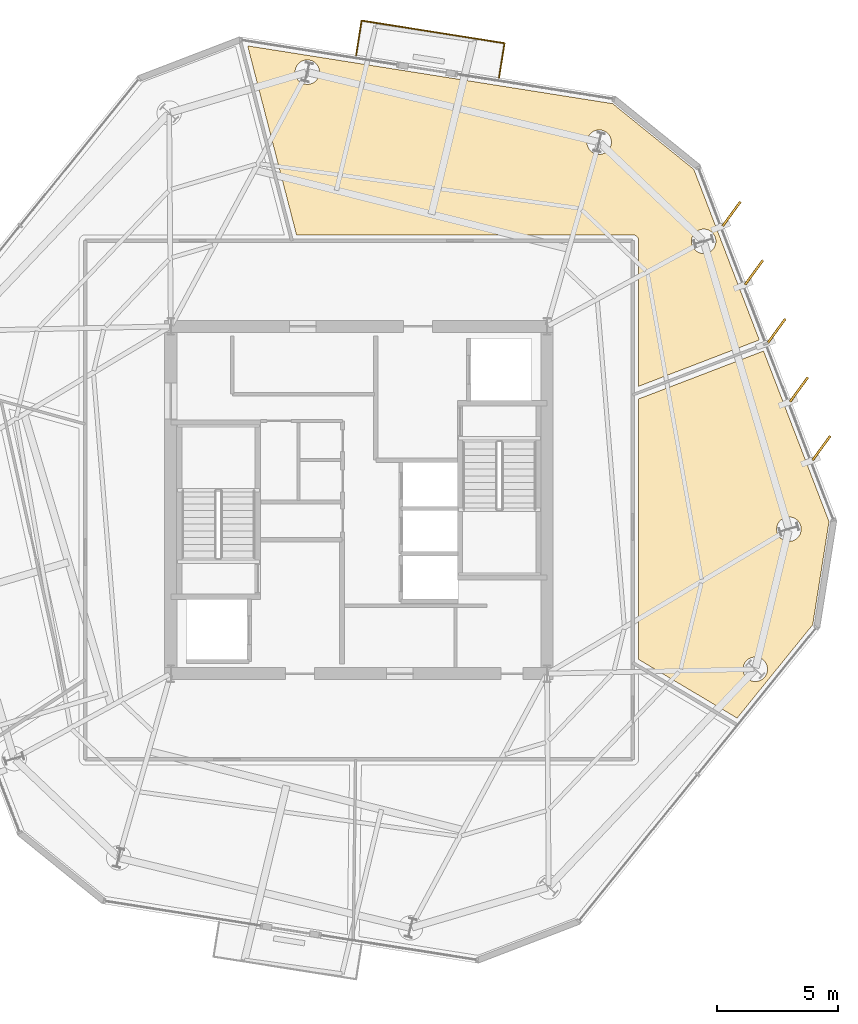
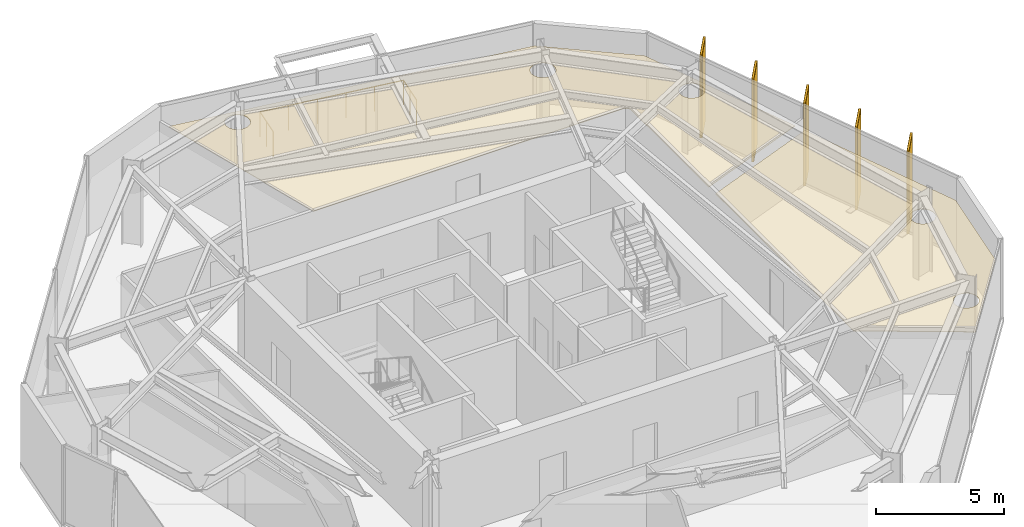
# One storey, part 11 of 11: 7 coverings, 5 shading devices, 1 railing.
"""IFC4 building model written with IfcOpenShell, lengths in metres."""

from ifc_helpers import new_model, si_unit, direction, frame, origin, origin_2d, place, context, subcontext, project, spatial, polyline, rectangle, circle, outline, extrude, material, layer, layer_set, type_object, element, save


model = new_model("IFC4")

# Units and contexts
model_context = context("Model", 3, precision=1e-05, world=origin(), true_north=direction((0.0, 1.0)))
body_context = subcontext(model_context, "Body", "Model", "MODEL_VIEW")
ifc_project = project(units=[si_unit("LENGTHUNIT", "METRE"), si_unit("AREAUNIT", "SQUARE_METRE"), si_unit("VOLUMEUNIT", "CUBIC_METRE"), si_unit("PLANEANGLEUNIT", "RADIAN"), si_unit("MASSUNIT", "GRAM", prefix="KILO")], contexts=[model_context])

# Site, building, storey
site_placement = place(None, origin())
site = spatial("IfcSite", under=ifc_project, at=site_placement, CompositionType="ELEMENT")
building_placement = place(site_placement, origin())
building = spatial("IfcBuilding", under=site, at=building_placement, Name="Kranzbogen Civic Tower", CompositionType="ELEMENT")
storey_placement = place(building_placement, frame((0.0, 0.0, 228.800048828125)))
storey = spatial("IfcBuildingStorey", under=building, at=storey_placement, Name="L55", CompositionType="ELEMENT", Elevation=228.800048828125)

# Coverings
ifc_material_1 = material(Name="Pale Anodised Aluminium", Category="aluminium")
ifc_layer_1 = layer(ifc_material_1, 0.02490234375, Name="Pale Anodised Aluminium")
ifc_layer_set_1 = layer_set([ifc_layer_1], Name="Pale Anodised Aluminium")
covering_type_1 = type_object("IfcCoveringType", Name="Anodised Aluminium Vertical Fin Cladding 25 mm", PredefinedType="CLADDING", material=ifc_layer_set_1)
for number, where, z_axis, x_axis, name in (
    (1, (44.177001953125, 27.155029296875, -0.14013671875), (0.0, 0.0, 1.0), (0.5895206578, 0.807753300227, 0.0), "L55 vertical fin pale-metal cladding F6-1"),
    (2, (43.2451171875, 29.58203125, -0.14013671875), (0.0, 0.0, 1.0), (0.5895206578, 0.807753300227, 0.0), "L55 vertical fin pale-metal cladding F6-2"),
    (3, (42.31298828125, 32.009033203125, -0.14013671875), (0.0, 0.0, 1.0), (0.5895206578, 0.807753300227, 0.0), "L55 vertical fin pale-metal cladding F6-3"),
    (4, (41.382080078125, 34.43701171875, -0.14013671875), (0.0, 0.0, 1.0), (0.5895206578, 0.807753300227, 0.0), "L55 vertical fin pale-metal cladding F6-4"),
    (5, (40.449951171875, 36.864013671875, -0.14013671875), (0.0, 0.0, 1.0), (0.5895206578, 0.807753300227, 0.0), "L55 vertical fin pale-metal cladding F6-5"),
):
    element("IfcCovering", number, at=place(storey_placement, frame(where, z_axis=z_axis, x_axis=x_axis)), inside=storey, type_object=covering_type_1, Name=name, PredefinedType="CLADDING", context=body_context, shape_type="SweptSolid", body=[
        extrude(rectangle(XDim=1.25, YDim=0.10009765625, at=origin_2d()), origin(), (0.0, 0.0, 1.0), 3.9599609375),
    ])

# Shading devices
ifc_material_2 = material(Name="Anodised Bronze Aluminium", Category="aluminium")
shading_device_type = type_object("IfcShadingDeviceType", Name="Anodised Bronze Vertical Facade Fin 1250x80", PredefinedType="USERDEFINED", material=ifc_material_2)
for number, where, z_axis, x_axis, name in (
    (6, (44.177001953125, 27.155029296875, -0.14013671875), (0.0, 0.0, 1.0), (0.5895206578, 0.807753300227, 0.0), "L55 vertical exterior shading fin F6-1"),
    (7, (43.2451171875, 29.58203125, -0.14013671875), (0.0, 0.0, 1.0), (0.5895206578, 0.807753300227, 0.0), "L55 vertical exterior shading fin F6-2"),
    (8, (42.31298828125, 32.009033203125, -0.14013671875), (0.0, 0.0, 1.0), (0.5895206578, 0.807753300227, 0.0), "L55 vertical exterior shading fin F6-3"),
    (9, (41.382080078125, 34.43701171875, -0.14013671875), (0.0, 0.0, 1.0), (0.5895206578, 0.807753300227, 0.0), "L55 vertical exterior shading fin F6-4"),
    (10, (40.449951171875, 36.864013671875, -0.14013671875), (0.0, 0.0, 1.0), (0.5895206578, 0.807753300227, 0.0), "L55 vertical exterior shading fin F6-5"),
):
    element("IfcShadingDevice", number, at=place(storey_placement, frame(where, z_axis=z_axis, x_axis=x_axis)), inside=storey, type_object=shading_device_type, Name=name, ObjectType="FIN", PredefinedType="USERDEFINED", context=body_context, shape_type="SweptSolid", body=[
        extrude(rectangle(XDim=1.25, YDim=0.080078125, at=origin_2d()), origin(), (0.0, 0.0, 1.0), 3.9599609375),
    ])

# Railing
railing_type = type_object("IfcRailingType", Name="Cantilevered Balcony Glass and Bronze Balustrade 1200", PredefinedType="BALUSTRADE", material=ifc_material_2)
railing_placement = place(storey_placement, frame((30.81005859375, 42.507080078125, 0.0)))
element("IfcRailing", 11, at=railing_placement, inside=storey, type_object=railing_type, Name="L55 exterior terrace balustrade L55-TB2", PredefinedType="BALUSTRADE", context=body_context, shape_type="SweptSolid", body=[
    extrude(circle(Radius=0.02392578125, at=origin_2d()), frame((0.0, 0.0, 1.17578125), z_axis=(0.156611103709, 0.987660347587, 0.0), x_axis=(-0.987660347587, 0.156611103709, 0.0)), (0.0, 0.0, 1.0), 1.44970703125),
    extrude(circle(Radius=0.02392578125, at=origin_2d()), frame((0.22705078125, 1.431884765625, 1.17578125), z_axis=(-0.987703836906, 0.156336593803, 0.0), x_axis=(-0.156336593803, -0.987703836906, 0.0)), (0.0, 0.0, 1.0), 5.999755859375),
    extrude(circle(Radius=0.02392578125, at=origin_2d()), frame((-5.698974609375, 2.369873046875, 1.17578125), z_axis=(-0.156611103709, -0.987660347587, 0.0), x_axis=(0.987660347587, -0.156611103709, 0.0)), (0.0, 0.0, 1.0), 1.44970703125),
    extrude(circle(Radius=0.02099609375, at=origin_2d()), origin(), (0.0, 0.0, 1.0), 1.15185546875),
    extrude(circle(Radius=0.02099609375, at=origin_2d()), frame((0.113525390625, 0.7158203125, 0.0)), (0.0, 0.0, 1.0), 1.15185546875),
    extrude(circle(Radius=0.02099609375, at=origin_2d()), frame((0.22705078125, 1.431884765625, 0.0)), (0.0, 0.0, 1.0), 1.15185546875),
    extrude(circle(Radius=0.02099609375, at=origin_2d()), frame((-0.958251953125, 1.619384765625, 0.0)), (0.0, 0.0, 1.0), 1.15185546875),
    extrude(circle(Radius=0.02099609375, at=origin_2d()), frame((-2.143310546875, 1.80712890625, 0.0)), (0.0, 0.0, 1.0), 1.15185546875),
    extrude(circle(Radius=0.02099609375, at=origin_2d()), frame((-3.32861328125, 1.99462890625, 0.0)), (0.0, 0.0, 1.0), 1.15185546875),
    extrude(circle(Radius=0.02099609375, at=origin_2d()), frame((-4.513671875, 2.182373046875, 0.0)), (0.0, 0.0, 1.0), 1.15185546875),
    extrude(circle(Radius=0.02099609375, at=origin_2d()), frame((-5.698974609375, 2.369873046875, 0.0)), (0.0, 0.0, 1.0), 1.15185546875),
    extrude(circle(Radius=0.02099609375, at=origin_2d()), frame((-5.8125, 1.65380859375, 0.0)), (0.0, 0.0, 1.0), 1.15185546875),
    extrude(circle(Radius=0.02099609375, at=origin_2d()), frame((-5.926025390625, 0.93798828125, 0.0)), (0.0, 0.0, 1.0), 1.15185546875),
])

# Coverings
ifc_material_3 = material(Name="Perforated Acoustic Gypsum Ceiling")
ifc_layer_2 = layer(ifc_material_3, 0.02490234375, Name="Perforated Acoustic Gypsum Ceiling")
ifc_layer_set_2 = layer_set([ifc_layer_2], Name="Perforated Acoustic Gypsum Ceiling")
covering_type_2 = type_object("IfcCoveringType", Name="Perforated Acoustic Mineral Ceiling Tile 25 mm", PredefinedType="CEILING", material=ifc_layer_set_2)
covering_1_placement = place(storey_placement, frame((0.0, 0.0, 2.75)))
element("IfcCovering", 12, at=covering_1_placement, inside=storey, type_object=covering_type_2, Name="L55 Visitor Concierge Foyer acoustic ceiling", PredefinedType="CEILING", context=body_context, shape_type="SweptSolid", body=[
    extrude(outline(polyline([(43.81494140625, 19.830078125), (40.679931640625, 15.958984375), (36.594970703125, 18.388916015625), (36.594970703125, 29.18896484375), (41.77587890625, 31.177001953125), (44.490966796875, 24.10302734375), (43.81494140625, 19.830078125)]), holes=[polyline([(41.902099609375, 17.7900390625), (41.8798828125, 17.7451171875), (41.85498046875, 17.701904296875), (41.824951171875, 17.662109375), (41.7919921875, 17.625), (41.7548828125, 17.592041015625), (41.715087890625, 17.56201171875), (41.672119140625, 17.537109375), (41.626953125, 17.514892578125), (41.580078125, 17.4990234375), (41.531982421875, 17.487060546875), (41.48291015625, 17.47900390625), (41.43310546875, 17.47705078125), (41.383056640625, 17.47900390625), (41.333984375, 17.487060546875), (41.285888671875, 17.4990234375), (41.239013671875, 17.514892578125), (41.194091796875, 17.537109375), (41.15087890625, 17.56201171875), (41.111083984375, 17.592041015625), (41.073974609375, 17.625), (41.041015625, 17.662109375), (41.010986328125, 17.701904296875), (40.986083984375, 17.7451171875), (40.964111328125, 17.7900390625), (40.947998046875, 17.8369140625), (40.93603515625, 17.885009765625), (40.927978515625, 17.93408203125), (40.926025390625, 17.98388671875), (40.927978515625, 18.033935546875), (40.93603515625, 18.0830078125), (40.947998046875, 18.131103515625), (40.964111328125, 18.177978515625), (40.986083984375, 18.222900390625), (41.010986328125, 18.26611328125), (41.041015625, 18.305908203125), (41.073974609375, 18.343017578125), (41.111083984375, 18.3759765625), (41.15087890625, 18.406005859375), (41.194091796875, 18.430908203125), (41.239013671875, 18.452880859375), (41.285888671875, 18.468994140625), (41.333984375, 18.48095703125), (41.383056640625, 18.489013671875), (41.43310546875, 18.490966796875), (41.48291015625, 18.489013671875), (41.531982421875, 18.48095703125), (41.580078125, 18.468994140625), (41.626953125, 18.452880859375), (41.672119140625, 18.430908203125), (41.715087890625, 18.406005859375), (41.7548828125, 18.3759765625), (41.7919921875, 18.343017578125), (41.824951171875, 18.305908203125), (41.85498046875, 18.26611328125), (41.8798828125, 18.222900390625), (41.902099609375, 18.177978515625), (41.91796875, 18.131103515625), (41.929931640625, 18.0830078125), (41.93798828125, 18.033935546875), (41.93994140625, 17.98388671875), (41.93798828125, 17.93408203125), (41.929931640625, 17.885009765625), (41.91796875, 17.8369140625), (41.902099609375, 17.7900390625)]), polyline([(43.297119140625, 23.596923828125), (43.27490234375, 23.552001953125), (43.25, 23.509033203125), (43.219970703125, 23.468994140625), (43.18701171875, 23.431884765625), (43.14990234375, 23.39892578125), (43.110107421875, 23.368896484375), (43.06689453125, 23.343994140625), (43.02197265625, 23.322021484375), (42.97509765625, 23.305908203125), (42.927001953125, 23.2939453125), (42.8779296875, 23.285888671875), (42.827880859375, 23.283935546875), (42.778076171875, 23.285888671875), (42.72900390625, 23.2939453125), (42.680908203125, 23.305908203125), (42.634033203125, 23.322021484375), (42.589111328125, 23.343994140625), (42.5458984375, 23.368896484375), (42.506103515625, 23.39892578125), (42.468994140625, 23.431884765625), (42.43603515625, 23.468994140625), (42.406005859375, 23.509033203125), (42.381103515625, 23.552001953125), (42.35888671875, 23.596923828125), (42.343017578125, 23.64404296875), (42.3310546875, 23.69189453125), (42.322998046875, 23.740966796875), (42.321044921875, 23.791015625), (42.322998046875, 23.841064453125), (42.3310546875, 23.889892578125), (42.343017578125, 23.93798828125), (42.35888671875, 23.985107421875), (42.381103515625, 24.030029296875), (42.406005859375, 24.072998046875), (42.43603515625, 24.113037109375), (42.468994140625, 24.14990234375), (42.506103515625, 24.18310546875), (42.5458984375, 24.212890625), (42.589111328125, 24.238037109375), (42.634033203125, 24.260009765625), (42.680908203125, 24.27587890625), (42.72900390625, 24.2880859375), (42.778076171875, 24.2958984375), (42.827880859375, 24.298095703125), (42.8779296875, 24.2958984375), (42.927001953125, 24.2880859375), (42.97509765625, 24.27587890625), (43.02197265625, 24.260009765625), (43.06689453125, 24.238037109375), (43.110107421875, 24.212890625), (43.14990234375, 24.18310546875), (43.18701171875, 24.14990234375), (43.219970703125, 24.113037109375), (43.25, 24.072998046875), (43.27490234375, 24.030029296875), (43.297119140625, 23.985107421875), (43.31298828125, 23.93798828125), (43.324951171875, 23.889892578125), (43.3330078125, 23.841064453125), (43.3349609375, 23.791015625), (43.3330078125, 23.740966796875), (43.324951171875, 23.69189453125), (43.31298828125, 23.64404296875), (43.297119140625, 23.596923828125)])]), origin(), (0.0, 0.0, 1.0), 0.02490234375),
])
covering_2_placement = place(storey_placement, frame((0.0, 0.0, 2.75)))
element("IfcCovering", 13, at=covering_2_placement, inside=storey, type_object=covering_type_2, Name="L55 Protocol Entrance Reception acoustic ceiling", PredefinedType="CEILING", context=body_context, shape_type="SweptSolid", body=[
    extrude(outline(polyline([(36.594970703125, 29.712890625), (36.594970703125, 35.75), (36.594970703125, 35.759033203125), (36.593994140625, 35.764892578125), (36.593017578125, 35.782958984375), (36.592041015625, 35.7890625), (36.587890625, 35.805908203125), (36.5869140625, 35.81298828125), (36.58203125, 35.830078125), (36.580078125, 35.8359375), (36.572998046875, 35.85205078125), (36.570068359375, 35.85791015625), (36.56201171875, 35.873046875), (36.55810546875, 35.87890625), (36.549072265625, 35.89306640625), (36.544921875, 35.89794921875), (36.533935546875, 35.912109375), (36.529052734375, 35.9169921875), (36.51708984375, 35.928955078125), (36.511962890625, 35.93408203125), (36.498046875, 35.945068359375), (36.492919921875, 35.948974609375), (36.47900390625, 35.9580078125), (36.472900390625, 35.9619140625), (36.4580078125, 35.969970703125), (36.451904296875, 35.972900390625), (36.43603515625, 35.97998046875), (36.429931640625, 35.98193359375), (36.4130859375, 35.987060546875), (36.406005859375, 35.988037109375), (36.388916015625, 35.991943359375), (36.383056640625, 35.992919921875), (36.364990234375, 35.993896484375), (36.35888671875, 35.9951171875), (36.35009765625, 35.9951171875), (22.412109375, 35.9951171875), (20.387939453125, 43.827880859375), (35.52197265625, 41.431884765625), (38.885009765625, 38.708984375), (41.60009765625, 31.635009765625), (36.594970703125, 29.712890625)]), holes=[polyline([(23.3291015625, 42.5458984375), (23.306884765625, 42.5009765625), (23.281982421875, 42.4580078125), (23.251953125, 42.41796875), (23.218994140625, 42.381103515625), (23.181884765625, 42.347900390625), (23.14208984375, 42.318115234375), (23.09912109375, 42.29296875), (23.053955078125, 42.27099609375), (23.007080078125, 42.2548828125), (22.958984375, 42.242919921875), (22.909912109375, 42.235107421875), (22.860107421875, 42.23291015625), (22.81005859375, 42.235107421875), (22.760986328125, 42.242919921875), (22.712890625, 42.2548828125), (22.666015625, 42.27099609375), (22.62109375, 42.29296875), (22.577880859375, 42.318115234375), (22.5380859375, 42.347900390625), (22.5009765625, 42.381103515625), (22.468017578125, 42.41796875), (22.43798828125, 42.4580078125), (22.4130859375, 42.5009765625), (22.39111328125, 42.5458984375), (22.375, 42.593017578125), (22.363037109375, 42.64111328125), (22.35498046875, 42.68994140625), (22.35302734375, 42.739990234375), (22.35498046875, 42.7900390625), (22.363037109375, 42.839111328125), (22.375, 42.886962890625), (22.39111328125, 42.93408203125), (22.4130859375, 42.97900390625), (22.43798828125, 43.02197265625), (22.468017578125, 43.06201171875), (22.5009765625, 43.09912109375), (22.5380859375, 43.132080078125), (22.577880859375, 43.162109375), (22.62109375, 43.18701171875), (22.666015625, 43.208984375), (22.712890625, 43.22509765625), (22.760986328125, 43.237060546875), (22.81005859375, 43.2451171875), (22.860107421875, 43.2470703125), (22.909912109375, 43.2451171875), (22.958984375, 43.237060546875), (23.007080078125, 43.22509765625), (23.053955078125, 43.208984375), (23.09912109375, 43.18701171875), (23.14208984375, 43.162109375), (23.181884765625, 43.132080078125), (23.218994140625, 43.09912109375), (23.251953125, 43.06201171875), (23.281982421875, 43.02197265625), (23.306884765625, 42.97900390625), (23.3291015625, 42.93408203125), (23.344970703125, 42.886962890625), (23.35693359375, 42.839111328125), (23.364990234375, 42.7900390625), (23.366943359375, 42.739990234375), (23.364990234375, 42.68994140625), (23.35693359375, 42.64111328125), (23.344970703125, 42.593017578125), (23.3291015625, 42.5458984375)]), polyline([(39.761962890625, 35.530029296875), (39.739990234375, 35.485107421875), (39.715087890625, 35.44189453125), (39.68505859375, 35.402099609375), (39.652099609375, 35.364990234375), (39.614990234375, 35.33203125), (39.574951171875, 35.302001953125), (39.531982421875, 35.277099609375), (39.487060546875, 35.2548828125), (39.43994140625, 35.239013671875), (39.39208984375, 35.22705078125), (39.343017578125, 35.218994140625), (39.29296875, 35.217041015625), (39.242919921875, 35.218994140625), (39.194091796875, 35.22705078125), (39.14599609375, 35.239013671875), (39.09912109375, 35.2548828125), (39.053955078125, 35.277099609375), (39.010986328125, 35.302001953125), (38.970947265625, 35.33203125), (38.93408203125, 35.364990234375), (38.90087890625, 35.402099609375), (38.87109375, 35.44189453125), (38.845947265625, 35.485107421875), (38.823974609375, 35.530029296875), (38.80810546875, 35.576904296875), (38.7958984375, 35.625), (38.7880859375, 35.674072265625), (38.785888671875, 35.72412109375), (38.7880859375, 35.77392578125), (38.7958984375, 35.822998046875), (38.80810546875, 35.87109375), (38.823974609375, 35.91796875), (38.845947265625, 35.962890625), (38.87109375, 36.006103515625), (38.90087890625, 36.0458984375), (38.93408203125, 36.0830078125), (38.970947265625, 36.115966796875), (39.010986328125, 36.14599609375), (39.053955078125, 36.1708984375), (39.09912109375, 36.193115234375), (39.14599609375, 36.208984375), (39.194091796875, 36.220947265625), (39.242919921875, 36.22900390625), (39.29296875, 36.23095703125), (39.343017578125, 36.22900390625), (39.39208984375, 36.220947265625), (39.43994140625, 36.208984375), (39.487060546875, 36.193115234375), (39.531982421875, 36.1708984375), (39.574951171875, 36.14599609375), (39.614990234375, 36.115966796875), (39.652099609375, 36.0830078125), (39.68505859375, 36.0458984375), (39.715087890625, 36.006103515625), (39.739990234375, 35.962890625), (39.761962890625, 35.91796875), (39.778076171875, 35.87109375), (39.7900390625, 35.822998046875), (39.798095703125, 35.77392578125), (39.800048828125, 35.72412109375), (39.798095703125, 35.674072265625), (39.7900390625, 35.625), (39.778076171875, 35.576904296875), (39.761962890625, 35.530029296875)]), polyline([(35.429931640625, 39.64111328125), (35.407958984375, 39.595947265625), (35.383056640625, 39.552978515625), (35.35302734375, 39.512939453125), (35.320068359375, 39.47607421875), (35.282958984375, 39.443115234375), (35.242919921875, 39.4130859375), (35.199951171875, 39.387939453125), (35.155029296875, 39.365966796875), (35.10791015625, 39.35009765625), (35.06005859375, 39.337890625), (35.010986328125, 39.330078125), (34.9609375, 39.327880859375), (34.910888671875, 39.330078125), (34.862060546875, 39.337890625), (34.81396484375, 39.35009765625), (34.76708984375, 39.365966796875), (34.721923828125, 39.387939453125), (34.678955078125, 39.4130859375), (34.638916015625, 39.443115234375), (34.60205078125, 39.47607421875), (34.569091796875, 39.512939453125), (34.5390625, 39.552978515625), (34.513916015625, 39.595947265625), (34.491943359375, 39.64111328125), (34.47607421875, 39.68798828125), (34.464111328125, 39.736083984375), (34.4560546875, 39.784912109375), (34.4541015625, 39.8349609375), (34.4560546875, 39.885009765625), (34.464111328125, 39.93408203125), (34.47607421875, 39.98193359375), (34.491943359375, 40.029052734375), (34.513916015625, 40.073974609375), (34.5390625, 40.116943359375), (34.569091796875, 40.156982421875), (34.60205078125, 40.194091796875), (34.638916015625, 40.22705078125), (34.678955078125, 40.257080078125), (34.721923828125, 40.281982421875), (34.76708984375, 40.303955078125), (34.81396484375, 40.320068359375), (34.862060546875, 40.33203125), (34.910888671875, 40.340087890625), (34.9609375, 40.342041015625), (35.010986328125, 40.340087890625), (35.06005859375, 40.33203125), (35.10791015625, 40.320068359375), (35.155029296875, 40.303955078125), (35.199951171875, 40.281982421875), (35.242919921875, 40.257080078125), (35.282958984375, 40.22705078125), (35.320068359375, 40.194091796875), (35.35302734375, 40.156982421875), (35.383056640625, 40.116943359375), (35.407958984375, 40.073974609375), (35.429931640625, 40.029052734375), (35.446044921875, 39.98193359375), (35.4580078125, 39.93408203125), (35.466064453125, 39.885009765625), (35.468017578125, 39.8349609375), (35.466064453125, 39.784912109375), (35.4580078125, 39.736083984375), (35.446044921875, 39.68798828125), (35.429931640625, 39.64111328125)])]), origin(), (0.0, 0.0, 1.0), 0.02490234375),
])

save(model, "model.ifc")
